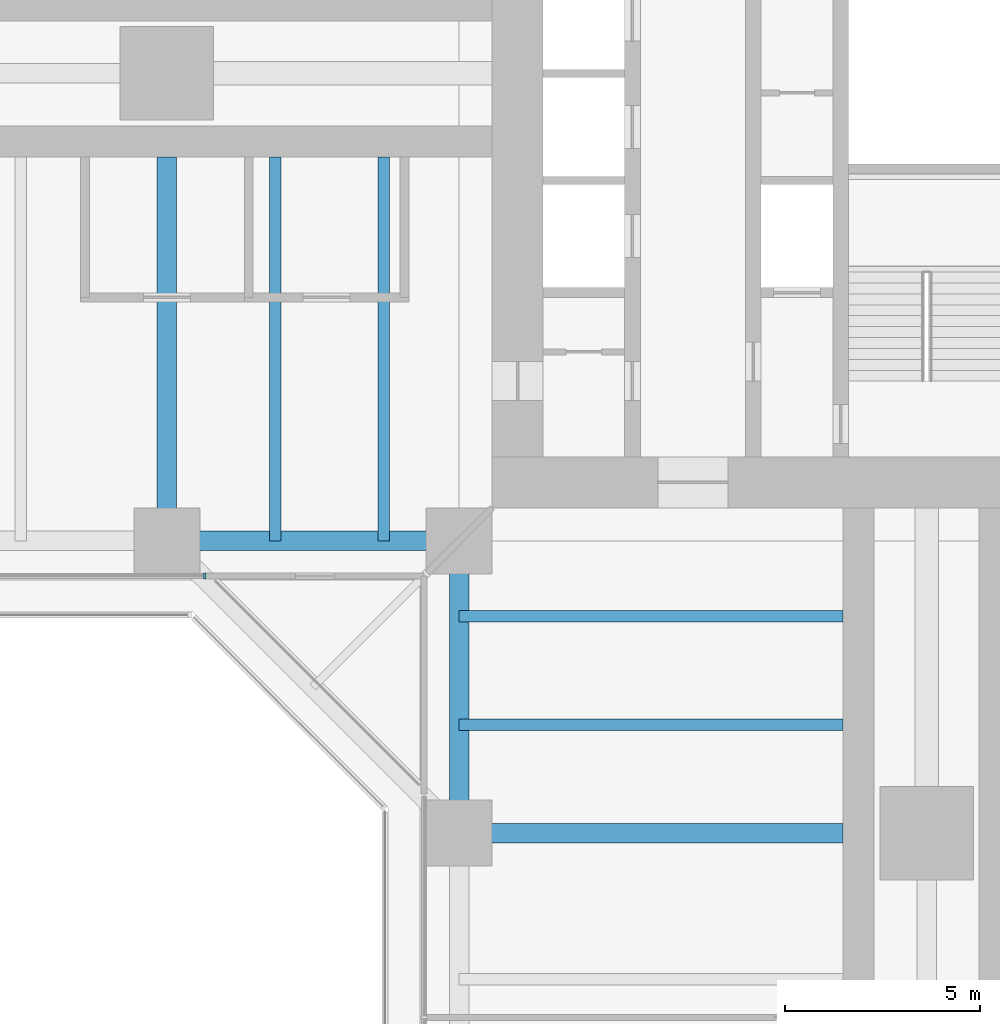
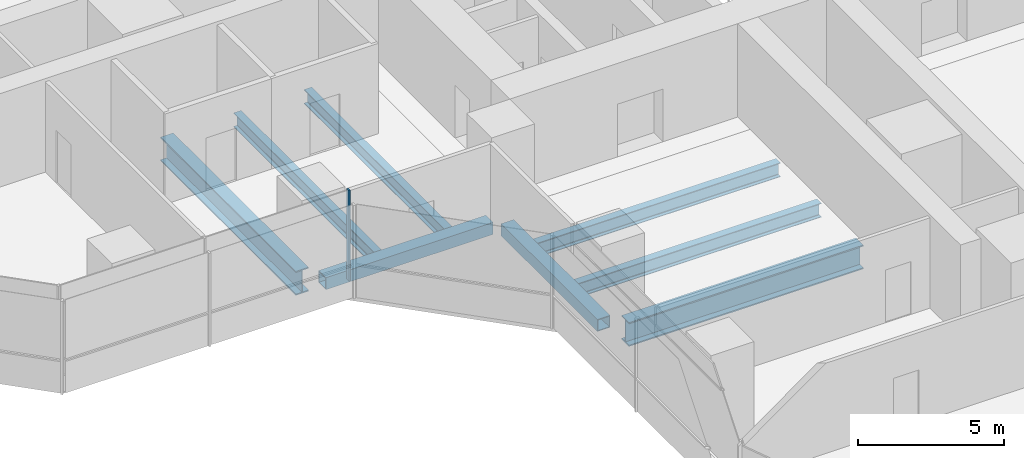
# One storey, part 4 of 22: 8 beams, 1 member, 1 element without a shape of its own.
"""IFC4 building model written with IfcOpenShell, lengths in metres."""

from ifc_helpers import new_model, si_unit, direction, frame, origin, origin_2d, place, context, subcontext, project, spatial, rectangle, hollow_rectangle, i_section, extrude, material, material_profile, profile_set, type_object, element, aggregate, save


model = new_model("IFC4")

# Units and contexts
model_context = context("Model", 3, precision=1e-05, world=origin(), true_north=direction((0.0, 1.0)))
body_context = subcontext(model_context, "Body", "Model", "MODEL_VIEW")
ifc_project = project(units=[si_unit("LENGTHUNIT", "METRE"), si_unit("AREAUNIT", "SQUARE_METRE"), si_unit("VOLUMEUNIT", "CUBIC_METRE"), si_unit("PLANEANGLEUNIT", "RADIAN"), si_unit("MASSUNIT", "GRAM", prefix="KILO")], contexts=[model_context])

# Site, building, storey
site_placement = place(None, origin())
site = spatial("IfcSite", under=ifc_project, at=site_placement, CompositionType="ELEMENT")
building_placement = place(site_placement, origin())
building = spatial("IfcBuilding", under=site, at=building_placement, Name="Mizan Broadcast Tower", CompositionType="ELEMENT")
storey_placement = place(building_placement, frame((0.0, 0.0, 63.0)))
storey = spatial("IfcBuildingStorey", under=building, at=storey_placement, Name="L12", CompositionType="ELEMENT", Elevation=63.0)

# Beams
ifc_material_1 = material(Name="Steel S355", Category="steel")
ifc_material_profile_1 = material_profile(ifc_material_1, hollow_rectangle(XDim=0.5, YDim=0.5, WallThickness=0.030029296875, at=origin_2d()), Name="BOX 500x500x30")
ifc_profile_set_1 = profile_set([ifc_material_profile_1], Name="Steel S355")
beam_type_1 = type_object("IfcBeamType", Name="EDGE BEAM BOX 500x500x30", PredefinedType="SPANDREL", material=ifc_profile_set_1)
for number, where, z_axis, x_axis, name in (
    (1, (-12.449951171875, -12.0, -0.3798828125), (-1.0, 0.0, 0.0), (0.0, -1.0, 0.0), "Edge beam BOX 500x500x30 L12 west arm"),
    (2, (-12.0, -12.449951171875, -0.3798828125), (0.0, -1.0, 0.0), (1.0, 0.0, 0.0), "Edge beam BOX 500x500x30 L12 south arm"),
):
    element("IfcBeam", number, at=place(storey_placement, frame(where, z_axis=z_axis, x_axis=x_axis)), inside=storey, type_object=beam_type_1, Name=name, PredefinedType="SPANDREL", context=body_context, shape_type="SweptSolid", body=[
        extrude(hollow_rectangle(XDim=0.5, YDim=0.5, WallThickness=0.030029296875, at=origin_2d()), origin(), (0.0, 0.0, 1.0), 6.60009765625),
    ])
ifc_material_2 = material(Name="Steel S460", Category="steel")
ifc_material_profile_2 = material_profile(ifc_material_2, i_section(OverallWidth=0.5, OverallDepth=1.0, WebThickness=0.02490234375, FlangeThickness=0.050048828125, at=origin_2d()), Name="WPG 1000x500")
ifc_profile_set_2 = profile_set([ifc_material_profile_2], Name="Steel S460")
beam_type_2 = type_object("IfcBeamType", Name="GIRDER WPG 1000x500", PredefinedType="BEAM", material=ifc_profile_set_2)
for number, where, z_axis, x_axis, name in (
    (3, (-19.5, -11.408935546875, -0.6298828125), (0.0, 1.0, 0.0), (-1.0, 0.0, 0.0), "Girder WPG 1000x500 L12 west arm"),
    (4, (-11.408935546875, -19.5, -0.6298828125), (1.0, 0.0, 0.0), (0.0, 1.0, 0.0), "Girder WPG 1000x500 L12 south arm"),
):
    element("IfcBeam", number, at=place(storey_placement, frame(where, z_axis=z_axis, x_axis=x_axis)), inside=storey, type_object=beam_type_2, Name=name, PredefinedType="BEAM", context=body_context, shape_type="SweptSolid", body=[
        extrude(i_section(OverallWidth=0.5, OverallDepth=1.0, WebThickness=0.02490234375, FlangeThickness=0.050048828125, at=origin_2d()), origin(), (0.0, 0.0, 1.0), 9.259033203125),
    ])

# Curtain wall, member
ifc_material_3 = material(Name="Aluminium framed glazing", Category="aluminium")
curtain_wall_type = type_object("IfcCurtainWallType", Name="INNER SKIN LOW ZONE", PredefinedType="USERDEFINED", material=ifc_material_3)
curtain_wall_placement = place(storey_placement, origin())
curtain_wall = element("IfcCurtainWall", 5, at=curtain_wall_placement, inside=storey, type_object=curtain_wall_type, Name="Inner skin low zone L12 W side", ObjectType="INNER SKIN LOW ZONE", PredefinedType="USERDEFINED")
ifc_material_4 = material(Name="Aluminium, pale anodised", Category="aluminium")
ifc_material_profile_3 = material_profile(ifc_material_4, rectangle(XDim=0.159912109375, YDim=0.06005859375, at=origin_2d()), Name="MULLION 160x60")
ifc_profile_set_3 = profile_set([ifc_material_profile_3], Name="Aluminium, pale anodised")
member_type = type_object("IfcMemberType", Name="INNER SKIN MULLION 60x160", PredefinedType="MULLION", material=ifc_profile_set_3)
member_placement = place(storey_placement, frame((-18.530029296875, -12.89990234375, 0.0), z_axis=(0.0, 0.0, 1.0), x_axis=(0.0, 1.0, 0.0)))
member = element("IfcMember", 6, at=member_placement, type_object=member_type, Name="Inner skin low zone L12 W side mullion 3", PredefinedType="MULLION", context=body_context, shape_type="SweptSolid", body=[
    extrude(rectangle(XDim=0.159912109375, YDim=0.06005859375, at=origin_2d()), origin(), (0.0, 0.0, 1.0), 3.77001953125),
])
aggregate(curtain_wall, [member])

# Beams
ifc_material_5 = material(Name="Steel S355", Category="steel")
ifc_material_profile_4 = material_profile(ifc_material_5, i_section(OverallWidth=0.300048828125, OverallDepth=0.590087890625, WebThickness=0.012939453125, FlangeThickness=0.02490234375, FilletRadius=0.027099609375, at=origin_2d()), Name="HEA 600")
ifc_profile_set_4 = profile_set([ifc_material_profile_4], Name="Steel S355")
beam_type_3 = type_object("IfcBeamType", Name="SECONDARY BEAM HEA 600", PredefinedType="JOIST", material=ifc_profile_set_4)
for number, where, z_axis, x_axis, name in (
    (7, (-13.933349609375, -12.0, -0.425048828125), (0.0, 1.0, 0.0), (-1.0, 0.0, 0.0), "Secondary beam HEA 600 L12 west arm"),
    (8, (-16.716552734375, -12.0, -0.425048828125), (0.0, 1.0, 0.0), (-1.0, 0.0, 0.0), "Secondary beam HEA 600 L12 west arm"),
    (9, (-12.0, -13.933349609375, -0.425048828125), (1.0, 0.0, 0.0), (0.0, 1.0, 0.0), "Secondary beam HEA 600 L12 south arm"),
    (10, (-12.0, -16.716552734375, -0.425048828125), (1.0, 0.0, 0.0), (0.0, 1.0, 0.0), "Secondary beam HEA 600 L12 south arm"),
):
    element("IfcBeam", number, at=place(storey_placement, frame(where, z_axis=z_axis, x_axis=x_axis)), inside=storey, type_object=beam_type_3, Name=name, PredefinedType="JOIST", context=body_context, shape_type="SweptSolid", body=[
        extrude(i_section(OverallWidth=0.300048828125, OverallDepth=0.590087890625, WebThickness=0.012939453125, FlangeThickness=0.02490234375, FilletRadius=0.027099609375, at=origin_2d()), origin(), (0.0, 0.0, 1.0), 9.85009765625),
    ])

save(model, "model.ifc")
